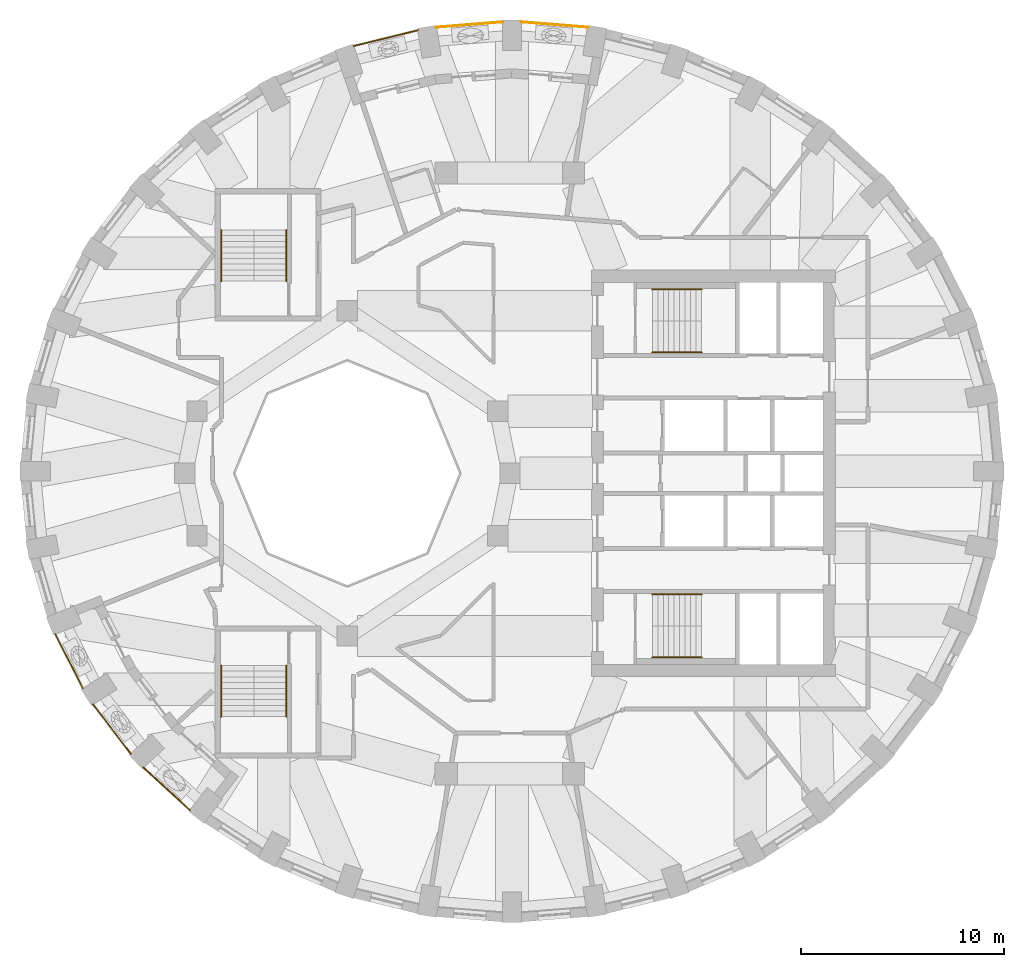
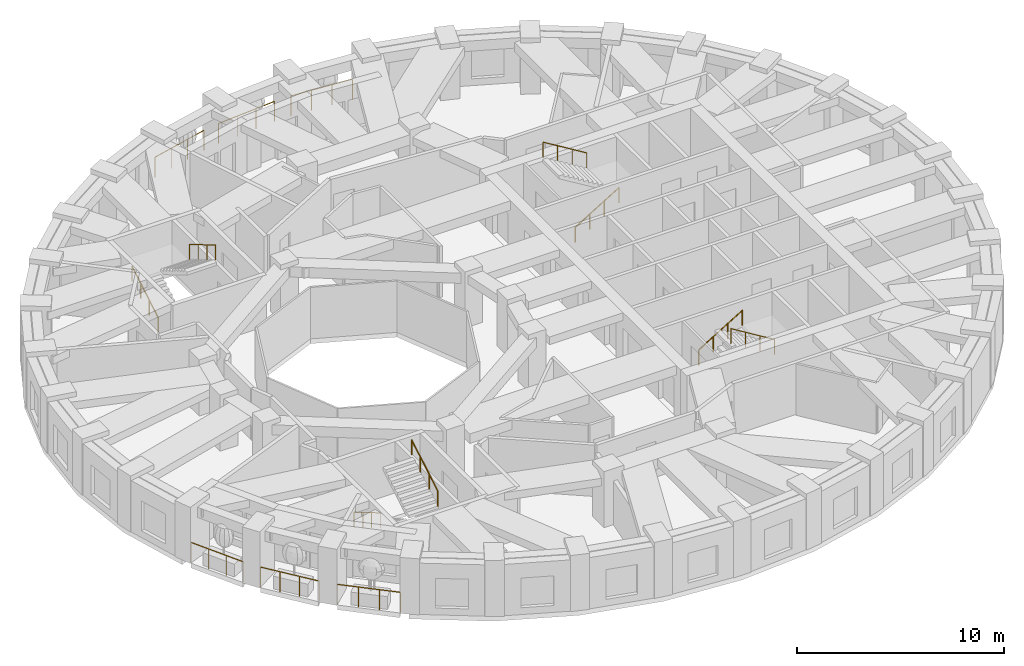
# One storey, part 9 of 11: 14 railings.
"""IFC4 building model written with IfcOpenShell, lengths in metres."""

import ifcopenshell
import ifcopenshell.guid

model = None  # the IFC model being written
_history = None  # IfcOwnerHistory: only IFC2X3 demands one
_inside = {}  # id of a spatial element -> (the spatial element, [elements in it])
_under = {}  # id of a project, library or spatial element -> (it, [spatial elements below it])
_declared = {}  # id of a project -> (the project, [libraries it declares])
_typed = {}  # id of a type object -> (the type object, [elements of that type])
_made_of = {}  # id of a material, layer set ... -> (it, [elements and type objects made of it])


def new_model(schema):
    """Start an empty IFC model of exactly this schema.

    Asked for "IFC4X3", IfcOpenShell would pick the latest addendum, in which some entities
    have other attributes; the version numbers below select the first issue.
    IFC2X3 requires an IfcOwnerHistory on every rooted entity: one is made here for all.
    """
    global model, _history
    if schema == "IFC4X3":
        model = ifcopenshell.file(schema_version=(4, 3, 0, 0))
    else:
        model = ifcopenshell.file(schema=schema)
    _inside.clear()
    _under.clear()
    _declared.clear()
    _typed.clear()
    _made_of.clear()
    _history = None
    if model.schema == "IFC2X3":
        org = make("IfcOrganization", Name="unknown")
        user = make(
            "IfcPersonAndOrganization",
            ThePerson=make("IfcPerson", FamilyName="unknown"),
            TheOrganization=org,
        )
        app = make(
            "IfcApplication",
            ApplicationDeveloper=org,
            Version="unknown",
            ApplicationFullName="unknown",
            ApplicationIdentifier="unknown",
        )
        _history = make(
            "IfcOwnerHistory",
            OwningUser=user,
            OwningApplication=app,
            ChangeAction="ADDED",
            CreationDate=0,
        )
    return model


def make(cls, **values):
    """One entity of the class cls with the attributes given. An attribute that is None is left unset."""
    return model.create_entity(
        cls, **{name: value for name, value in values.items() if value is not None}
    )


def rooted(cls, **values):
    """An entity with a GlobalId (a new one), such as an element, a storey or a relation."""
    return make(cls, GlobalId=ifcopenshell.guid.new(), OwnerHistory=_history, **values)


def si_unit(unit_type, name, prefix=None):
    """IfcSIUnit, for example si_unit("LENGTHUNIT", "METRE", prefix="MILLI")."""
    return make("IfcSIUnit", UnitType=unit_type, Prefix=prefix, Name=name)


def assignment(units):
    """IfcUnitAssignment: the units of a project."""
    return None if units is None else make("IfcUnitAssignment", Units=units)


def point(xyz):
    """IfcCartesianPoint."""
    return None if xyz is None else make("IfcCartesianPoint", Coordinates=xyz)


def direction(xyz):
    """IfcDirection."""
    return None if xyz is None else make("IfcDirection", DirectionRatios=xyz)


def frame(location, z_axis=None, x_axis=None):
    """IfcAxis2Placement3D, a coordinate frame: its origin and axes. An axis left out is left unset."""
    return make(
        "IfcAxis2Placement3D",
        Location=point(location),
        Axis=direction(z_axis),
        RefDirection=direction(x_axis),
    )


def frame_2d(location, x_axis=None):
    """IfcAxis2Placement2D, a coordinate frame in the plane: its origin and x axis."""
    return make(
        "IfcAxis2Placement2D", Location=point(location), RefDirection=direction(x_axis)
    )


def origin():
    """The frame at (0, 0, 0) with its axes left unset."""
    return frame((0.0, 0.0, 0.0))


def origin_2d():
    """The frame at (0, 0) in the plane with its x axis left unset."""
    return frame_2d((0.0, 0.0))


def place(relative_to, where):
    """IfcLocalPlacement: puts the frame where relative to a parent placement (None: the world)."""
    return make(
        "IfcLocalPlacement", PlacementRelTo=relative_to, RelativePlacement=where
    )


def context(
    kind, dimensions, precision=None, world=None, true_north=None, identifier=None
):
    """IfcGeometricRepresentationContext, for example the 3D "Model" context."""
    return make(
        "IfcGeometricRepresentationContext",
        ContextIdentifier=identifier,
        ContextType=kind,
        CoordinateSpaceDimension=dimensions,
        Precision=precision,
        WorldCoordinateSystem=world,
        TrueNorth=true_north,
    )


def subcontext(parent, identifier, kind, view, scale=None):
    """IfcGeometricRepresentationSubContext, for example "Body" below "Model"."""
    return make(
        "IfcGeometricRepresentationSubContext",
        ContextIdentifier=identifier,
        ContextType=kind,
        ParentContext=parent,
        TargetScale=scale,
        TargetView=view,
    )


def project(units=None, contexts=None):
    """IfcProject with its units and contexts."""
    return rooted(
        "IfcProject",
        Name="project",
        RepresentationContexts=contexts,
        UnitsInContext=assignment(units),
    )


def spatial(cls, under=None, at=None, **own):
    """A site, building, storey or space (cls), placed at a placement, below another one or the project."""
    s = rooted(cls, ObjectPlacement=at, **own)
    if under is not None:
        _under.setdefault(under.id(), (under, []))[1].append(s)
    return s


def profile(cls, at=None, kind="AREA", **sizes):
    """A parametric profile (cls). Its sizes go by their IFC names, for example OverallWidth=200.0."""
    return make(cls, ProfileType=kind, Position=at, **sizes)


def circle(**sizes):
    """IfcCircleProfileDef."""
    return profile("IfcCircleProfileDef", **sizes)


def extrude(swept, where, along, depth):
    """IfcExtrudedAreaSolid: the profile swept, set in the frame where, extruded along a direction by depth."""
    return make(
        "IfcExtrudedAreaSolid",
        SweptArea=swept,
        Position=where,
        ExtrudedDirection=direction(along),
        Depth=depth,
    )


def shape(context_of_items, identifier, shape_type, items):
    """IfcShapeRepresentation: the items that make up one representation, for example the "Body"."""
    return make(
        "IfcShapeRepresentation",
        ContextOfItems=context_of_items,
        RepresentationIdentifier=identifier,
        RepresentationType=shape_type,
        Items=items,
    )


def material(Name=None, Category=None):
    """IfcMaterial."""
    return make("IfcMaterial", Name=Name, Category=Category)


def made_of(thing, what):
    """Note that an element or type object is made of a material, layer set ...; save() writes the relation."""
    if what is not None:
        _made_of.setdefault(what.id(), (what, []))[1].append(thing)
    return thing


def type_object(cls, material=None, **own):
    """A type object (cls), such as IfcWallType, which elements share."""
    return made_of(rooted(cls, **own), material)


def element(
    cls,
    number,
    at=None,
    inside=None,
    cuts=None,
    type_object=None,
    material=None,
    context=None,
    identifier="Body",
    shape_type=None,
    held_by="IfcProductDefinitionShape",
    body=None,
    shapes=None,
    **own,
):
    """One element of the class cls, such as IfcWall. Its Tag is "e" and its number.

    at: its placement. inside: the storey or other place that contains it. cuts: it is an
    opening in that element (IfcRelVoidsElement). A single representation is given by context,
    identifier, shape_type and body (its items); several are given by shapes. held_by: the class
    of the entity that holds the representations. save() writes the other relations.
    """
    e = rooted(cls, Tag="e%d" % number, ObjectPlacement=at, **own)
    if body is not None:
        shapes = [shape(context, identifier, shape_type, body)]
    if shapes is not None:
        e.Representation = make(held_by, Representations=shapes)
    if inside is not None:
        _inside.setdefault(inside.id(), (inside, []))[1].append(e)
    if cuts is not None:
        rooted(
            "IfcRelVoidsElement", RelatingBuildingElement=cuts, RelatedOpeningElement=e
        )
    if type_object is not None:
        _typed.setdefault(type_object.id(), (type_object, []))[1].append(e)
    return made_of(e, material)


def aggregate(whole, parts):
    """IfcRelAggregates: a whole, such as a stair, and the parts it consists of."""
    return rooted("IfcRelAggregates", RelatingObject=whole, RelatedObjects=parts)


def save(model, path):
    """Write the relations noted so far, then the file.

    IfcRelAggregates (storeys below a building ...), IfcRelContainedInSpatialStructure (elements
    in a storey), IfcRelDefinesByType, IfcRelAssociatesMaterial and IfcRelDeclares: one each for
    every whole, place, type object, material and project.
    """
    for whole, parts in _under.values():
        aggregate(whole, parts)
    for where, things in _inside.values():
        rooted(
            "IfcRelContainedInSpatialStructure",
            RelatedElements=things,
            RelatingStructure=where,
        )
    for kind, things in _typed.values():
        rooted("IfcRelDefinesByType", RelatedObjects=things, RelatingType=kind)
    for what, things in _made_of.values():
        rooted("IfcRelAssociatesMaterial", RelatedObjects=things, RelatingMaterial=what)
    for by, libraries in _declared.values():
        rooted("IfcRelDeclares", RelatingContext=by, RelatedDefinitions=libraries)
    model.write(path)


model = new_model("IFC4")

# Units and contexts
model_context = context("Model", 3, precision=1e-05, world=origin(), true_north=direction((0.0, 1.0)))
body_context = subcontext(model_context, "Body", "Model", "MODEL_VIEW")
ifc_project = project(units=[si_unit("LENGTHUNIT", "METRE"), si_unit("AREAUNIT", "SQUARE_METRE"), si_unit("VOLUMEUNIT", "CUBIC_METRE"), si_unit("PLANEANGLEUNIT", "RADIAN"), si_unit("MASSUNIT", "GRAM", prefix="KILO")], contexts=[model_context])

# Site, building, storey
site_placement = place(None, origin())
site = spatial("IfcSite", under=ifc_project, at=site_placement, CompositionType="ELEMENT")
building_placement = place(site_placement, origin())
building = spatial("IfcBuilding", under=site, at=building_placement, Name="Taillehof Tower", CompositionType="ELEMENT")
storey_placement = place(building_placement, frame((0.0, 0.0, 174.800048828125)))
storey = spatial("IfcBuildingStorey", under=building, at=storey_placement, Name="L49", CompositionType="ELEMENT", Elevation=174.800048828125)

# Railings
ifc_material_1 = material(Name="Stainless steel balustrade", Category="steel")
railing_type_1 = type_object("IfcRailingType", Name="Balcony guard 1200", PredefinedType="GUARDRAIL", material=ifc_material_1)
railing_1_placement = place(storey_placement, frame((-22.369384765625, -7.89794921875, 0.0)))
element("IfcRailing", 1, at=railing_1_placement, inside=storey, type_object=railing_type_1, Name="Balcony guard L49 bay 21", PredefinedType="GUARDRAIL", context=body_context, shape_type="SweptSolid", body=[
    extrude(circle(Radius=0.02392578125, at=origin_2d()), frame((0.0, 0.0, 1.17578125), z_axis=(0.454160993773, -0.89091963259, 0.0), x_axis=(0.89091963259, 0.454160993773, 0.0)), (0.0, 0.0, 1.0), 3.016357421875),
    extrude(circle(Radius=0.02099609375, at=origin_2d()), origin(), (0.0, 0.0, 1.0), 1.15185546875),
    extrude(circle(Radius=0.02099609375, at=origin_2d()), frame((0.45654296875, -0.895751953125, 0.0)), (0.0, 0.0, 1.0), 1.15185546875),
    extrude(circle(Radius=0.02099609375, at=origin_2d()), frame((0.913330078125, -1.79150390625, 0.0)), (0.0, 0.0, 1.0), 1.15185546875),
    extrude(circle(Radius=0.02099609375, at=origin_2d()), frame((1.369873046875, -2.687255859375, 0.0)), (0.0, 0.0, 1.0), 1.15185546875),
])
railing_2_placement = place(storey_placement, frame((-20.514404296875, -11.355224609375, 0.0)))
element("IfcRailing", 2, at=railing_2_placement, inside=storey, type_object=railing_type_1, Name="Balcony guard L49 bay 22", PredefinedType="GUARDRAIL", context=body_context, shape_type="SweptSolid", body=[
    extrude(circle(Radius=0.02392578125, at=origin_2d()), frame((0.0, 0.0, 1.17578125), z_axis=(0.607804631475, -0.794086601044, 0.0), x_axis=(0.794086601044, 0.607804631475, 0.0)), (0.0, 0.0, 1.0), 3.06689453125),
    extrude(circle(Radius=0.02099609375, at=origin_2d()), origin(), (0.0, 0.0, 1.0), 1.15185546875),
    extrude(circle(Radius=0.02099609375, at=origin_2d()), frame((0.621337890625, -0.811767578125, 0.0)), (0.0, 0.0, 1.0), 1.15185546875),
    extrude(circle(Radius=0.02099609375, at=origin_2d()), frame((1.24267578125, -1.62353515625, 0.0)), (0.0, 0.0, 1.0), 1.15185546875),
    extrude(circle(Radius=0.02099609375, at=origin_2d()), frame((1.864013671875, -2.435302734375, 0.0)), (0.0, 0.0, 1.0), 1.15185546875),
])
railing_3_placement = place(storey_placement, frame((-18.03564453125, -14.461669921875, 0.0)))
element("IfcRailing", 3, at=railing_3_placement, inside=storey, type_object=railing_type_1, Name="Balcony guard L49 bay 23", PredefinedType="GUARDRAIL", context=body_context, shape_type="SweptSolid", body=[
    extrude(circle(Radius=0.02392578125, at=origin_2d()), frame((0.0, 0.0, 1.17578125), z_axis=(0.737792988056, -0.675027041514, 0.0), x_axis=(0.675027041514, 0.737792988056, 0.0)), (0.0, 0.0, 1.0), 3.12353515625),
    extrude(circle(Radius=0.02099609375, at=origin_2d()), origin(), (0.0, 0.0, 1.0), 1.15185546875),
    extrude(circle(Radius=0.02099609375, at=origin_2d()), frame((0.76806640625, -0.702880859375, 0.0)), (0.0, 0.0, 1.0), 1.15185546875),
    extrude(circle(Radius=0.02099609375, at=origin_2d()), frame((1.536376953125, -1.405517578125, 0.0)), (0.0, 0.0, 1.0), 1.15185546875),
    extrude(circle(Radius=0.02099609375, at=origin_2d()), frame((2.304443359375, -2.1083984375, 0.0)), (0.0, 0.0, 1.0), 1.15185546875),
])
railing_4_placement = place(storey_placement, frame((3.8271484375, 21.94140625, 0.0)))
element("IfcRailing", 4, at=railing_4_placement, inside=storey, type_object=railing_type_1, Name="Balcony guard L49 bay 9", PredefinedType="GUARDRAIL", context=body_context, shape_type="SweptSolid", body=[
    extrude(circle(Radius=0.02392578125, at=origin_2d()), frame((0.0, 0.0, 1.17578125), z_axis=(-0.996810310205, 0.079807302108, 0.0), x_axis=(-0.079807302108, -0.996810310205, 0.0)), (0.0, 0.0, 1.0), 3.282470703125),
    extrude(circle(Radius=0.02099609375, at=origin_2d()), origin(), (0.0, 0.0, 1.0), 1.15185546875),
    extrude(circle(Radius=0.02099609375, at=origin_2d()), frame((-1.090576171875, 0.08740234375, 0.0)), (0.0, 0.0, 1.0), 1.15185546875),
    extrude(circle(Radius=0.02099609375, at=origin_2d()), frame((-2.181396484375, 0.174560546875, 0.0)), (0.0, 0.0, 1.0), 1.15185546875),
    extrude(circle(Radius=0.02099609375, at=origin_2d()), frame((-3.27197265625, 0.261962890625, 0.0)), (0.0, 0.0, 1.0), 1.15185546875),
])
railing_5_placement = place(storey_placement, frame((-0.35498046875, 22.203369140625, 0.0)))
element("IfcRailing", 5, at=railing_5_placement, inside=storey, type_object=railing_type_1, Name="Balcony guard L49 bay 10", PredefinedType="GUARDRAIL", context=body_context, shape_type="SweptSolid", body=[
    extrude(circle(Radius=0.02392578125, at=origin_2d()), frame((0.0, 0.0, 1.17578125), z_axis=(-0.996810783879, -0.079801385593, 0.0), x_axis=(0.079801385593, -0.996810783879, 0.0)), (0.0, 0.0, 1.0), 3.28271484375),
    extrude(circle(Radius=0.02099609375, at=origin_2d()), origin(), (0.0, 0.0, 1.0), 1.15185546875),
    extrude(circle(Radius=0.02099609375, at=origin_2d()), frame((-1.0908203125, -0.08740234375, 0.0)), (0.0, 0.0, 1.0), 1.15185546875),
    extrude(circle(Radius=0.02099609375, at=origin_2d()), frame((-2.181396484375, -0.174560546875, 0.0)), (0.0, 0.0, 1.0), 1.15185546875),
    extrude(circle(Radius=0.02099609375, at=origin_2d()), frame((-3.272216796875, -0.261962890625, 0.0)), (0.0, 0.0, 1.0), 1.15185546875),
])
railing_6_placement = place(storey_placement, frame((-4.525634765625, 21.79638671875, 0.0)))
element("IfcRailing", 6, at=railing_6_placement, inside=storey, type_object=railing_type_1, Name="Balcony guard L49 bay 11", PredefinedType="GUARDRAIL", context=body_context, shape_type="SweptSolid", body=[
    extrude(circle(Radius=0.02392578125, at=origin_2d()), frame((0.0, 0.0, 1.17578125), z_axis=(-0.971236963408, -0.238115016139, 0.0), x_axis=(0.238115016139, -0.971236963408, 0.0)), (0.0, 0.0, 1.0), 3.263427734375),
    extrude(circle(Radius=0.02099609375, at=origin_2d()), origin(), (0.0, 0.0, 1.0), 1.15185546875),
    extrude(circle(Radius=0.02099609375, at=origin_2d()), frame((-1.056640625, -0.259033203125, 0.0)), (0.0, 0.0, 1.0), 1.15185546875),
    extrude(circle(Radius=0.02099609375, at=origin_2d()), frame((-2.113037109375, -0.51806640625, 0.0)), (0.0, 0.0, 1.0), 1.15185546875),
    extrude(circle(Radius=0.02099609375, at=origin_2d()), frame((-3.169677734375, -0.777099609375, 0.0)), (0.0, 0.0, 1.0), 1.15185546875),
])
ifc_material_2 = material(Name="Stainless steel", Category="steel")
railing_type_2 = type_object("IfcRailingType", Name="Stair handrail 900", PredefinedType="HANDRAIL", material=ifc_material_2)
railing_7_placement = place(storey_placement, frame((7.0, 5.949951171875, 0.1650390625)))
element("IfcRailing", 7, at=railing_7_placement, inside=storey, type_object=railing_type_2, Name="Stair S1 handrail", PredefinedType="HANDRAIL", context=body_context, shape_type="SweptSolid", body=[
    extrude(circle(Radius=0.02392578125, at=origin_2d()), frame((0.0, 0.0, 0.8759765625), z_axis=(0.853296667938, 0.0, 0.521425734392), x_axis=(0.0, 1.0, 0.0)), (0.0, 0.0, 1.0), 2.84765625),
    extrude(circle(Radius=0.02099609375, at=origin_2d()), origin(), (0.0, 0.0, 1.0), 0.851806640625),
    extrude(circle(Radius=0.02099609375, at=origin_2d()), frame((0.81005859375, 0.0, 0.494873046875)), (0.0, 0.0, 1.0), 0.851806640625),
    extrude(circle(Radius=0.02099609375, at=origin_2d()), frame((1.619873046875, 0.0, 0.989990234375)), (0.0, 0.0, 1.0), 0.851806640625),
    extrude(circle(Radius=0.02099609375, at=origin_2d()), frame((2.429931640625, 0.0, 1.48486328125)), (0.0, 0.0, 1.0), 0.851806640625),
])
railing_8_placement = place(storey_placement, frame((9.429931640625, 9.050048828125, 1.81494140625)))
element("IfcRailing", 8, at=railing_8_placement, inside=storey, type_object=railing_type_2, Name="Stair S1 handrail", PredefinedType="HANDRAIL", context=body_context, shape_type="SweptSolid", body=[
    extrude(circle(Radius=0.02392578125, at=origin_2d()), frame((0.0, 0.0, 0.8759765625), z_axis=(-0.853258522278, 0.0, 0.521488153423), x_axis=(0.0, -1.0, 0.0)), (0.0, 0.0, 1.0), 2.847900390625),
    extrude(circle(Radius=0.02099609375, at=origin_2d()), origin(), (0.0, 0.0, 1.0), 0.851806640625),
    extrude(circle(Radius=0.02099609375, at=origin_2d()), frame((-0.81005859375, 0.0, 0.4951171875)), (0.0, 0.0, 1.0), 0.851806640625),
    extrude(circle(Radius=0.02099609375, at=origin_2d()), frame((-1.619873046875, 0.0, 0.989990234375)), (0.0, 0.0, 1.0), 0.851806640625),
    extrude(circle(Radius=0.02099609375, at=origin_2d()), frame((-2.429931640625, 0.0, 1.485107421875)), (0.0, 0.0, 1.0), 0.851806640625),
])
railing_9_placement = place(storey_placement, frame((7.0, -5.949951171875, 0.1650390625)))
element("IfcRailing", 9, at=railing_9_placement, inside=storey, type_object=railing_type_2, Name="Stair S2 handrail", PredefinedType="HANDRAIL", context=body_context, shape_type="SweptSolid", body=[
    extrude(circle(Radius=0.02392578125, at=origin_2d()), frame((0.0, 0.0, 0.8759765625), z_axis=(0.853296667938, 0.0, 0.521425734392), x_axis=(0.0, 1.0, 0.0)), (0.0, 0.0, 1.0), 2.84765625),
    extrude(circle(Radius=0.02099609375, at=origin_2d()), origin(), (0.0, 0.0, 1.0), 0.851806640625),
    extrude(circle(Radius=0.02099609375, at=origin_2d()), frame((0.81005859375, 0.0, 0.494873046875)), (0.0, 0.0, 1.0), 0.851806640625),
    extrude(circle(Radius=0.02099609375, at=origin_2d()), frame((1.619873046875, 0.0, 0.989990234375)), (0.0, 0.0, 1.0), 0.851806640625),
    extrude(circle(Radius=0.02099609375, at=origin_2d()), frame((2.429931640625, 0.0, 1.48486328125)), (0.0, 0.0, 1.0), 0.851806640625),
])
railing_10_placement = place(storey_placement, frame((9.429931640625, -9.050048828125, 1.81494140625)))
element("IfcRailing", 10, at=railing_10_placement, inside=storey, type_object=railing_type_2, Name="Stair S2 handrail", PredefinedType="HANDRAIL", context=body_context, shape_type="SweptSolid", body=[
    extrude(circle(Radius=0.02392578125, at=origin_2d()), frame((0.0, 0.0, 0.8759765625), z_axis=(-0.853258522278, 0.0, 0.521488153423), x_axis=(0.0, -1.0, 0.0)), (0.0, 0.0, 1.0), 2.847900390625),
    extrude(circle(Radius=0.02099609375, at=origin_2d()), origin(), (0.0, 0.0, 1.0), 0.851806640625),
    extrude(circle(Radius=0.02099609375, at=origin_2d()), frame((-0.81005859375, 0.0, 0.4951171875)), (0.0, 0.0, 1.0), 0.851806640625),
    extrude(circle(Radius=0.02099609375, at=origin_2d()), frame((-1.619873046875, 0.0, 0.989990234375)), (0.0, 0.0, 1.0), 0.851806640625),
    extrude(circle(Radius=0.02099609375, at=origin_2d()), frame((-2.429931640625, 0.0, 1.485107421875)), (0.0, 0.0, 1.0), 0.851806640625),
])
railing_11_placement = place(storey_placement, frame((-14.199951171875, 9.449951171875, 0.1650390625)))
element("IfcRailing", 11, at=railing_11_placement, inside=storey, type_object=railing_type_2, Name="Stair S3 handrail", PredefinedType="HANDRAIL", context=body_context, shape_type="SweptSolid", body=[
    extrude(circle(Radius=0.02392578125, at=origin_2d()), frame((0.0, 0.0, 0.8759765625), z_axis=(0.0, 0.861560626758, 0.507654692109), x_axis=(-1.0, 0.0, 0.0)), (0.0, 0.0, 1.0), 2.925048828125),
    extrude(circle(Radius=0.02099609375, at=origin_2d()), origin(), (0.0, 0.0, 1.0), 0.851806640625),
    extrude(circle(Radius=0.02099609375, at=origin_2d()), frame((0.0, 0.840087890625, 0.494873046875)), (0.0, 0.0, 1.0), 0.851806640625),
    extrude(circle(Radius=0.02099609375, at=origin_2d()), frame((0.0, 1.679931640625, 0.989990234375)), (0.0, 0.0, 1.0), 0.851806640625),
    extrude(circle(Radius=0.02099609375, at=origin_2d()), frame((0.0, 2.52001953125, 1.48486328125)), (0.0, 0.0, 1.0), 0.851806640625),
])
railing_12_placement = place(storey_placement, frame((-11.0, 11.969970703125, 1.81494140625)))
element("IfcRailing", 12, at=railing_12_placement, inside=storey, type_object=railing_type_2, Name="Stair S3 handrail", PredefinedType="HANDRAIL", context=body_context, shape_type="SweptSolid", body=[
    extrude(circle(Radius=0.02392578125, at=origin_2d()), frame((0.0, 0.0, 0.8759765625), z_axis=(0.0, -0.86152411907, 0.507716645641), x_axis=(1.0, 0.0, 0.0)), (0.0, 0.0, 1.0), 2.925048828125),
    extrude(circle(Radius=0.02099609375, at=origin_2d()), origin(), (0.0, 0.0, 1.0), 0.851806640625),
    extrude(circle(Radius=0.02099609375, at=origin_2d()), frame((0.0, -0.840087890625, 0.4951171875)), (0.0, 0.0, 1.0), 0.851806640625),
    extrude(circle(Radius=0.02099609375, at=origin_2d()), frame((0.0, -1.679931640625, 0.989990234375)), (0.0, 0.0, 1.0), 0.851806640625),
    extrude(circle(Radius=0.02099609375, at=origin_2d()), frame((0.0, -2.52001953125, 1.485107421875)), (0.0, 0.0, 1.0), 0.851806640625),
])
railing_13_placement = place(storey_placement, frame((-14.199951171875, -9.449951171875, 0.1650390625)))
element("IfcRailing", 13, at=railing_13_placement, inside=storey, type_object=railing_type_2, Name="Stair S4 handrail", PredefinedType="HANDRAIL", context=body_context, shape_type="SweptSolid", body=[
    extrude(circle(Radius=0.02392578125, at=origin_2d()), frame((0.0, 0.0, 0.8759765625), z_axis=(0.0, -0.861560626758, 0.507654692109), x_axis=(1.0, 0.0, 0.0)), (0.0, 0.0, 1.0), 2.925048828125),
    extrude(circle(Radius=0.02099609375, at=origin_2d()), origin(), (0.0, 0.0, 1.0), 0.851806640625),
    extrude(circle(Radius=0.02099609375, at=origin_2d()), frame((0.0, -0.840087890625, 0.494873046875)), (0.0, 0.0, 1.0), 0.851806640625),
    extrude(circle(Radius=0.02099609375, at=origin_2d()), frame((0.0, -1.679931640625, 0.989990234375)), (0.0, 0.0, 1.0), 0.851806640625),
    extrude(circle(Radius=0.02099609375, at=origin_2d()), frame((0.0, -2.52001953125, 1.48486328125)), (0.0, 0.0, 1.0), 0.851806640625),
])
railing_14_placement = place(storey_placement, frame((-11.0, -11.969970703125, 1.81494140625)))
element("IfcRailing", 14, at=railing_14_placement, inside=storey, type_object=railing_type_2, Name="Stair S4 handrail", PredefinedType="HANDRAIL", context=body_context, shape_type="SweptSolid", body=[
    extrude(circle(Radius=0.02392578125, at=origin_2d()), frame((0.0, 0.0, 0.8759765625), z_axis=(0.0, 0.86152411907, 0.507716645641), x_axis=(-1.0, 0.0, 0.0)), (0.0, 0.0, 1.0), 2.925048828125),
    extrude(circle(Radius=0.02099609375, at=origin_2d()), origin(), (0.0, 0.0, 1.0), 0.851806640625),
    extrude(circle(Radius=0.02099609375, at=origin_2d()), frame((0.0, 0.840087890625, 0.4951171875)), (0.0, 0.0, 1.0), 0.851806640625),
    extrude(circle(Radius=0.02099609375, at=origin_2d()), frame((0.0, 1.679931640625, 0.989990234375)), (0.0, 0.0, 1.0), 0.851806640625),
    extrude(circle(Radius=0.02099609375, at=origin_2d()), frame((0.0, 2.52001953125, 1.485107421875)), (0.0, 0.0, 1.0), 0.851806640625),
])

save(model, "model.ifc")
